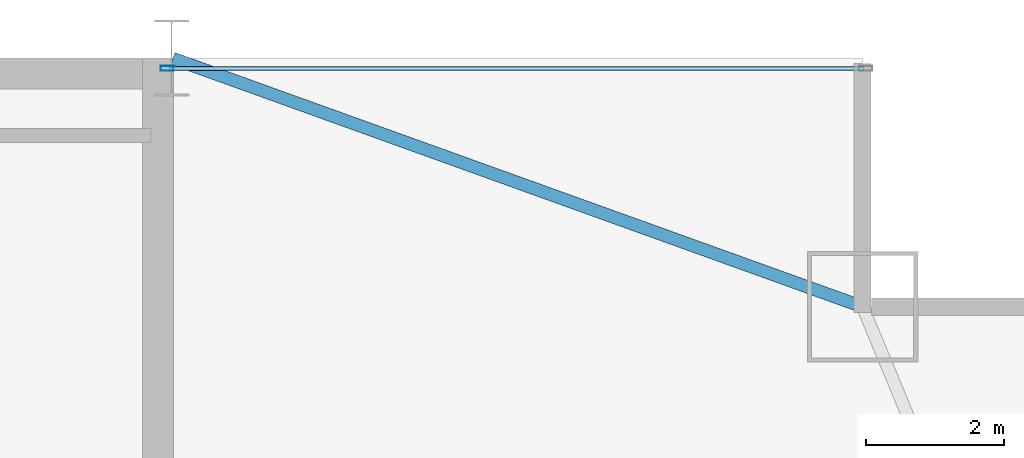
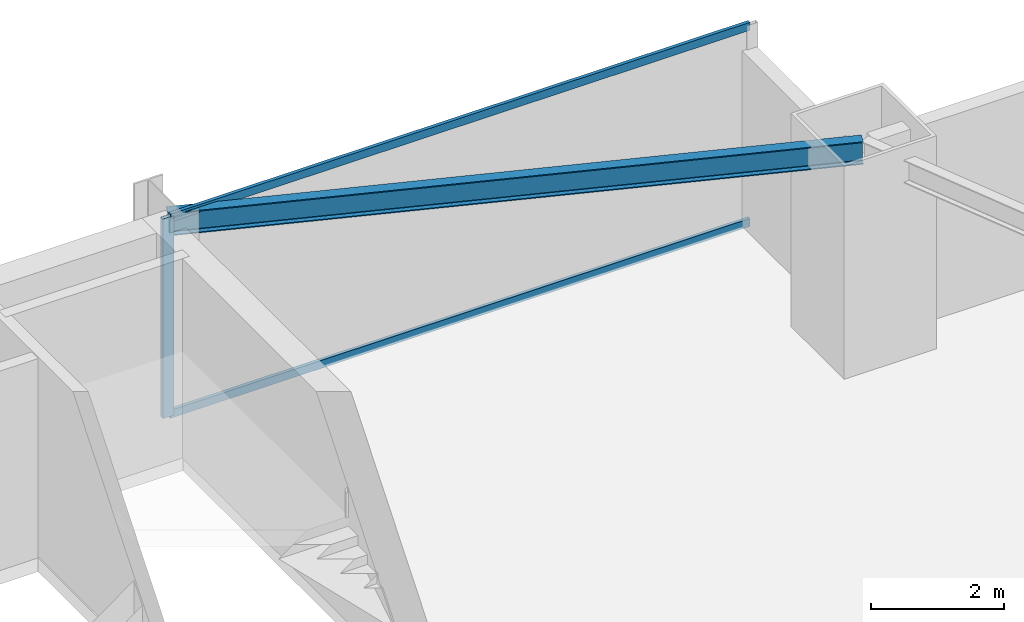
# One storey, part 22 of 31: 3 members, 1 beam, 1 element without a shape of its own.
"""IFC4 building model written with IfcOpenShell, lengths in metres."""

from ifc_helpers import new_model, si_unit, direction, frame, origin, origin_2d, place, context, subcontext, project, spatial, hollow_rectangle, i_section, extrude, source, transform, mapped, material, layer, layer_set, material_profile, profile_set, type_object, type_shapes, element, aggregate, save


model = new_model("IFC4")

# Units and contexts
model_context = context("Model", 3, precision=1e-05, world=origin(), true_north=direction((0.0, 1.0)))
body_context = subcontext(model_context, "Body", "Model", "MODEL_VIEW")
ifc_project = project(units=[si_unit("LENGTHUNIT", "METRE"), si_unit("AREAUNIT", "SQUARE_METRE"), si_unit("VOLUMEUNIT", "CUBIC_METRE"), si_unit("PLANEANGLEUNIT", "RADIAN"), si_unit("MASSUNIT", "GRAM", prefix="KILO")], contexts=[model_context])

# Site, building, storey
site_placement = place(None, origin())
site = spatial("IfcSite", under=ifc_project, at=site_placement, CompositionType="ELEMENT")
building_placement = place(site_placement, origin())
building = spatial("IfcBuilding", under=site, at=building_placement, Name="Varnel Quay Broadcast Tower", CompositionType="ELEMENT")
storey_placement = place(building_placement, frame((0.0, 0.0, 51.0)))
storey = spatial("IfcBuildingStorey", under=building, at=storey_placement, Name="L11", CompositionType="ELEMENT", Elevation=51.0)

# Beam
ifc_material_1 = material(Name="Structural Steel CSA G40.21 350W", Category="steel")
ifc_material_profile_1 = material_profile(ifc_material_1, i_section(OverallWidth=0.180908203125, OverallDepth=0.4169921875, WebThickness=0.010986328125, FlangeThickness=0.018310546875, FilletRadius=0.011962890625, at=origin_2d()), Name="W410X85")
ifc_profile_set_1 = profile_set([ifc_material_profile_1], Name="Structural Steel CSA G40.21 350W")
beam_type = type_object("IfcBeamType", Name="Beam_W410X85", PredefinedType="SPANDREL", material=ifc_profile_set_1)
shared_shape_1 = source(origin(), body_context, "Body", "SweptSolid", [
    extrude(i_section(OverallWidth=0.180908203125, OverallDepth=0.4169921875, WebThickness=0.010986328125, FlangeThickness=0.018310546875, FilletRadius=0.011962890625, at=origin_2d()), origin(), (0.0, 0.0, 1.0), 10.58837890625),
])
type_shapes(beam_type, [shared_shape_1])
beam_placement = place(storey_placement, frame((52.418701171875, 46.793212890625, 3.44140625), z_axis=(0.940888587605, -0.338716202321, 0.0), x_axis=(0.338716202321, 0.940888587605, 0.0)))
element("IfcBeam", 1, at=beam_placement, inside=storey, type_object=beam_type, Name="L11 NE Tie Spandrel", PredefinedType="SPANDREL", context=body_context, shape_type="MappedRepresentation", body=[
    mapped(shared_shape_1, transform((0.0, 0.0, 0.0), x_axis=(1.0, 0.0, 0.0), y_axis=(0.0, 1.0, 0.0), z_axis=(0.0, 0.0, 1.0), scale=1.0)),
])

# Curtain wall, members
ifc_material_2 = material(Name="Anodised Bronze Aluminium 6063-T6", Category="aluminium")
ifc_layer = layer(ifc_material_2, 0.18994140625, Name="Anodised Bronze Aluminium 6063-T6")
ifc_layer_set = layer_set([ifc_layer], Name="Anodised Bronze Aluminium 6063-T6")
curtain_wall_type = type_object("IfcCurtainWallType", Name="CW_LowerTower", PredefinedType="NOTDEFINED", material=ifc_layer_set)
curtain_wall_placement = place(storey_placement, origin())
curtain_wall = element("IfcCurtainWall", 2, at=curtain_wall_placement, inside=storey, type_object=curtain_wall_type, Name="L11 NE Wing Curtain Wall", PredefinedType="NOTDEFINED")
ifc_material_profile_2 = material_profile(ifc_material_2, hollow_rectangle(XDim=0.070068359375, YDim=0.18994140625, WallThickness=0.00390625, at=origin_2d()), Name="ALU70X190X4")
ifc_profile_set_2 = profile_set([ifc_material_profile_2], Name="Anodised Bronze Aluminium 6063-T6")
member_type_1 = type_object("IfcMemberType", Name="Mull_CWS-02", PredefinedType="MULLION", material=ifc_profile_set_2)
shared_shape_2 = source(origin(), body_context, "Body", "SweptSolid", [
    extrude(hollow_rectangle(XDim=0.070068359375, YDim=0.18994140625, WallThickness=0.00390625, at=origin_2d()), origin(), (0.0, 0.0, 1.0), 3.64990234375),
])
type_shapes(member_type_1, [shared_shape_2])
member_1_placement = place(storey_placement, frame((52.3349609375, 46.64990234375, 0.0), z_axis=(0.0, 0.0, 1.0), x_axis=(0.0, 1.0, 0.0)))
member_1 = element("IfcMember", 3, at=member_1_placement, type_object=member_type_1, Name="CWS-02 mullion 1", PredefinedType="MULLION", context=body_context, shape_type="MappedRepresentation", body=[
    mapped(shared_shape_2, transform((0.0, 0.0, 0.0), x_axis=(1.0, 0.0, 0.0), y_axis=(0.0, 1.0, 0.0), z_axis=(0.0, 0.0, 1.0), scale=1.0)),
])
ifc_material_profile_3 = material_profile(ifc_material_2, hollow_rectangle(XDim=0.06005859375, YDim=0.14501953125, WallThickness=0.00341796875, at=origin_2d()), Name="ALU60X145X3.5")
ifc_profile_set_3 = profile_set([ifc_material_profile_3], Name="Anodised Bronze Aluminium 6063-T6")
member_type_2 = type_object("IfcMemberType", Name="Tran_CWS-02", PredefinedType="USERDEFINED", material=ifc_profile_set_3)
shared_shape_3 = source(origin(), body_context, "Body", "SweptSolid", [
    extrude(hollow_rectangle(XDim=0.06005859375, YDim=0.14501953125, WallThickness=0.00341796875, at=origin_2d()), origin(), (0.0, 0.0, 1.0), 10.039794921875),
])
type_shapes(member_type_2, [shared_shape_3])
member_2_placement = place(storey_placement, frame((52.3701171875, 46.64990234375, 0.030029296875), z_axis=(1.0, 0.0, 0.0), x_axis=(0.0, 1.0, 0.0)))
member_2 = element("IfcMember", 4, at=member_2_placement, type_object=member_type_2, Name="CWS-02 transom 1.1", ObjectType="TRANSOM", PredefinedType="USERDEFINED", context=body_context, shape_type="MappedRepresentation", body=[
    mapped(shared_shape_3, transform((0.0, 0.0, 0.0), x_axis=(1.0, 0.0, 0.0), y_axis=(0.0, 1.0, 0.0), z_axis=(0.0, 0.0, 1.0), scale=1.0)),
])
member_3_placement = place(storey_placement, frame((52.3701171875, 46.64990234375, 3.6201171875), z_axis=(1.0, 0.0, 0.0), x_axis=(0.0, 1.0, 0.0)))
member_3 = element("IfcMember", 5, at=member_3_placement, type_object=member_type_2, Name="CWS-02 transom 1.2", ObjectType="TRANSOM", PredefinedType="USERDEFINED", context=body_context, shape_type="MappedRepresentation", body=[
    mapped(shared_shape_3, transform((0.0, 0.0, 0.0), x_axis=(1.0, 0.0, 0.0), y_axis=(0.0, 1.0, 0.0), z_axis=(0.0, 0.0, 1.0), scale=1.0)),
])
aggregate(curtain_wall, [member_1, member_2, member_3])

save(model, "model.ifc")
